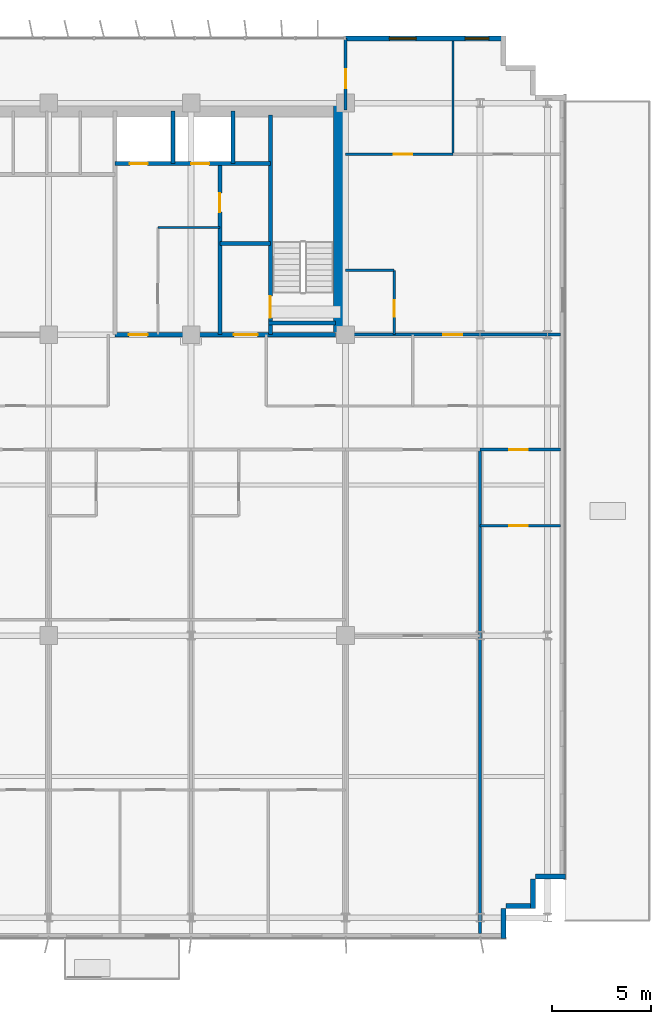
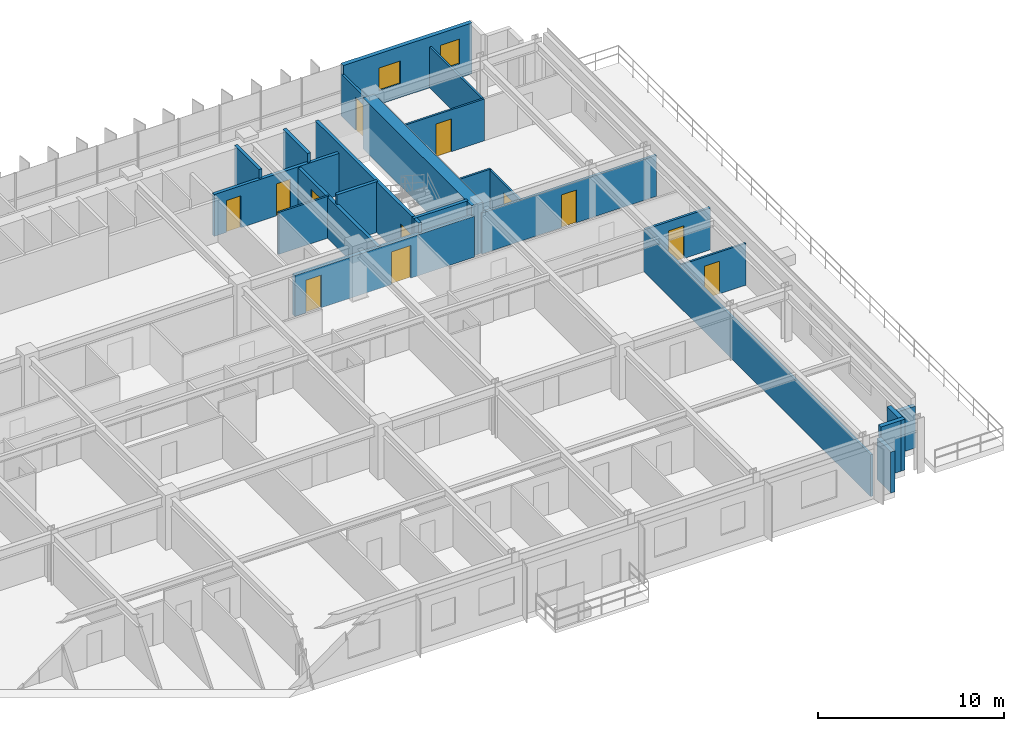
# One storey, part 21 of 26: 24 walls, 12 doors, 2 windows, 14 openings.
"""IFC4 building model written with IfcOpenShell, lengths in metres."""

from ifc_helpers import new_model, si_unit, direction, frame, frame_2d, origin, place, context, subcontext, project, spatial, rectangle, extrude, source, transform, mapped, material, layer, layer_set, type_object, element, fill, save


model = new_model("IFC4")

# Units and contexts
model_context = context("Model", 3, precision=1e-05, world=origin(), true_north=direction((0.0, 1.0)))
body_context = subcontext(model_context, "Body", "Model", "MODEL_VIEW")
ifc_project = project(units=[si_unit("LENGTHUNIT", "METRE"), si_unit("AREAUNIT", "SQUARE_METRE"), si_unit("VOLUMEUNIT", "CUBIC_METRE"), si_unit("PLANEANGLEUNIT", "RADIAN"), si_unit("MASSUNIT", "GRAM", prefix="KILO")], contexts=[model_context])

# Site, building, storey
site_placement = place(None, origin())
site = spatial("IfcSite", under=ifc_project, at=site_placement, CompositionType="ELEMENT")
building_placement = place(site_placement, origin())
building = spatial("IfcBuilding", under=site, at=building_placement, Name="Trelvane Seafront Commons", CompositionType="ELEMENT")
storey_placement = place(building_placement, frame((0.0, 0.0, 23.5)))
storey = spatial("IfcBuildingStorey", under=building, at=storey_placement, Name="L05", CompositionType="ELEMENT", Elevation=23.5)

# Wall, openings, windows
ifc_material_1 = material(Name="Precast concrete C40/50", Category="concrete")
ifc_layer_1 = layer(ifc_material_1, 0.260009765625, Name="ARCH-WALL-EXT260")
ifc_layer_set_1 = layer_set([ifc_layer_1], Name="Precast concrete C40/50")
wall_type_1 = type_object("IfcWallType", Name="ARCH-WALL-EXT260", PredefinedType="SOLIDWALL", material=ifc_layer_set_1)
wall_1_placement = place(storey_placement, frame((58.800048828125, 48.3701171875, 0.0), z_axis=(0.0, 0.0, 1.0), x_axis=(1.0, 0.0, 0.0)))
wall_1 = element("IfcWall", 1, at=wall_1_placement, inside=storey, type_object=wall_type_1, Name="EW-L05-NE-0046", PredefinedType="SOLIDWALL", context=body_context, shape_type="SweptSolid", body=[
    extrude(rectangle(XDim=8.0, YDim=0.260009765625, at=frame_2d((4.0, 0.0))), origin(), (0.0, 0.0, 1.0), 3.340087890625),
])
opening_1_placement = place(wall_1_placement, frame((2.208984375, 0.0, 0.89990234375)))
opening_1 = element("IfcOpeningElement", 2, at=opening_1_placement, cuts=wall_1, Name="Opening W09", PredefinedType="OPENING", context=body_context, shape_type="SweptSolid", body=[
    extrude(rectangle(XDim=1.35009765625, YDim=1.5, at=frame_2d((0.675048828125, 0.75))), frame((0.0, 0.139892578125, 0.0), z_axis=(0.0, -1.0, 0.0), x_axis=(1.0, 0.0, 0.0)), (0.0, 0.0, 1.0), 0.280029296875),
])
opening_2_placement = place(wall_1_placement, frame((6.032958984375, 0.0, 0.89990234375)))
opening_2 = element("IfcOpeningElement", 3, at=opening_2_placement, cuts=wall_1, Name="Opening W05", PredefinedType="OPENING", context=body_context, shape_type="SweptSolid", body=[
    extrude(rectangle(XDim=1.199951171875, YDim=1.64990234375, at=frame_2d((0.60009765625, 0.824951171875))), frame((0.0, 0.139892578125, 0.0), z_axis=(0.0, -1.0, 0.0), x_axis=(1.0, 0.0, 0.0)), (0.0, 0.0, 1.0), 0.280029296875),
])
ifc_material_2 = material(Name="Low-E coastal double glazing", Category="glass")
window_type_1 = type_object("IfcWindowType", Name="ARCH-WIN-W09", PartitioningType="SINGLE_PANEL", PredefinedType="WINDOW", material=ifc_material_2)
shared_shape_1 = source(origin(), body_context, "Body", "SweptSolid", [
    extrude(rectangle(XDim=1.35009765625, YDim=1.5, at=frame_2d((0.675048828125, 0.75))), frame((0.0, 0.030029296875, 0.0), z_axis=(0.0, -1.0, 0.0), x_axis=(1.0, 0.0, 0.0)), (0.0, 0.0, 1.0), 0.06005859375),
])
window_1_placement = place(opening_1_placement, origin())
window_1 = element("IfcWindow", 4, at=window_1_placement, inside=storey, type_object=window_type_1, Name="WIN-L05-00076", OverallHeight=1.5, OverallWidth=1.35009765625, PartitioningType="SINGLE_PANEL", PredefinedType="WINDOW", context=body_context, shape_type="MappedRepresentation", body=[
    mapped(shared_shape_1, transform((0.0, 0.0, 0.0), x_axis=(1.0, 0.0, 0.0), y_axis=(0.0, 1.0, 0.0), z_axis=(0.0, 0.0, 1.0), scale=1.0)),
])
fill(opening_1, window_1)
window_type_2 = type_object("IfcWindowType", Name="ARCH-WIN-W05", PartitioningType="SINGLE_PANEL", PredefinedType="WINDOW", material=ifc_material_2)
shared_shape_2 = source(origin(), body_context, "Body", "SweptSolid", [
    extrude(rectangle(XDim=1.199951171875, YDim=1.64990234375, at=frame_2d((0.60009765625, 0.824951171875))), frame((0.0, 0.030029296875, 0.0), z_axis=(0.0, -1.0, 0.0), x_axis=(1.0, 0.0, 0.0)), (0.0, 0.0, 1.0), 0.06005859375),
])
window_2_placement = place(opening_2_placement, origin())
window_2 = element("IfcWindow", 5, at=window_2_placement, inside=storey, type_object=window_type_2, Name="WIN-L05-00077", OverallHeight=1.64990234375, OverallWidth=1.199951171875, PartitioningType="SINGLE_PANEL", PredefinedType="WINDOW", context=body_context, shape_type="MappedRepresentation", body=[
    mapped(shared_shape_2, transform((0.0, 0.0, 0.0), x_axis=(1.0, 0.0, 0.0), y_axis=(0.0, 1.0, 0.0), z_axis=(0.0, 0.0, 1.0), scale=1.0)),
])
fill(opening_2, window_2)

# Walls
wall_2_placement = place(storey_placement, frame((69.89990234375, 6.030029296875, 0.0), z_axis=(0.0, 0.0, 1.0), x_axis=(-1.0, 0.0, 0.0)))
element("IfcWall", 6, at=wall_2_placement, inside=storey, type_object=wall_type_1, Name="EW-L05-00060", PredefinedType="SOLIDWALL", context=body_context, shape_type="SweptSolid", body=[
    extrude(rectangle(XDim=1.5, YDim=0.260009765625, at=frame_2d((0.75, 0.0))), origin(), (0.0, 0.0, 1.0), 2.751953125),
])
for number, where, z_axis, x_axis, name in (
    (7, (68.27001953125, 5.89990234375, 0.0), (0.0, 0.0, 1.0), (0.0, -1.0, 0.0), "EW-L05-00061"),
    (8, (68.39990234375, 4.530029296875, 0.0), (0.0, 0.0, 1.0), (-1.0, 0.0, 0.0), "EW-L05-00062"),
):
    element("IfcWall", number, at=place(storey_placement, frame(where, z_axis=z_axis, x_axis=x_axis)), inside=storey, type_object=wall_type_1, Name=name, PredefinedType="SOLIDWALL", context=body_context, shape_type="SweptSolid", body=[
        extrude(rectangle(XDim=1.5, YDim=0.260009765625, at=frame_2d((0.75, 0.0))), origin(), (0.0, 0.0, 1.0), 3.340087890625),
    ])
wall_3_placement = place(storey_placement, frame((66.77001953125, 4.39990234375, 0.0), z_axis=(0.0, 0.0, 1.0), x_axis=(0.0, -1.0, 0.0)))
element("IfcWall", 9, at=wall_3_placement, inside=storey, type_object=wall_type_1, Name="EW-L05-00063", PredefinedType="SOLIDWALL", context=body_context, shape_type="SweptSolid", body=[
    extrude(rectangle(XDim=1.5, YDim=0.260009765625, at=frame_2d((0.75, 0.0))), origin(), (0.0, 0.0, 1.0), 2.68994140625),
])

# Wall, opening, door
ifc_material_3 = material(Name="Concrete C40/50", Category="concrete")
ifc_layer_2 = layer(ifc_material_3, 0.199951171875, Name="ARCH-WALL-FIRE200")
ifc_layer_set_2 = layer_set([ifc_layer_2], Name="Concrete C40/50")
wall_type_2 = type_object("IfcWallType", Name="ARCH-WALL-FIRE200", PredefinedType="PARTITIONING", material=ifc_layer_set_2)
wall_4_placement = place(storey_placement, frame((52.449951171875, 33.39990234375, 0.0), z_axis=(0.0, 0.0, 1.0), x_axis=(0.0, 1.0, 0.0)))
wall_4 = element("IfcWall", 10, at=wall_4_placement, inside=storey, type_object=wall_type_2, Name="W-L05-ST2V-W-033", PredefinedType="PARTITIONING", context=body_context, shape_type="SweptSolid", body=[
    extrude(rectangle(XDim=8.650146484375, YDim=0.199951171875, at=frame_2d((4.3251953125, 0.0))), origin(), (0.0, 0.0, 1.0), 2.68994140625),
])
opening_3_placement = place(wall_4_placement, frame((6.199951171875, 0.0, 0.0)))
opening_3 = element("IfcOpeningElement", 11, at=opening_3_placement, cuts=wall_4, Name="Opening FD-L05-13", PredefinedType="OPENING", context=body_context, shape_type="SweptSolid", body=[
    extrude(rectangle(XDim=0.949951171875, YDim=2.14990234375, at=frame_2d((0.47509765625, 1.074951171875))), frame((0.0, 0.10986328125, 0.0), z_axis=(0.0, -1.0, 0.0), x_axis=(1.0, 0.0, 0.0)), (0.0, 0.0, 1.0), 0.219970703125),
])
ifc_material_4 = material(Name="Powder-coated aluminium frame", Category="aluminium")
door_type_1 = type_object("IfcDoorType", Name="ARCH-DR-FD60-950", OperationType="NOTDEFINED", PredefinedType="DOOR", material=ifc_material_4)
shared_shape_3 = source(origin(), body_context, "Body", "SweptSolid", [
    extrude(rectangle(XDim=0.949951171875, YDim=2.14990234375, at=frame_2d((0.47509765625, 1.074951171875))), frame((0.0, 0.02490234375, 0.0), z_axis=(0.0, -1.0, 0.0), x_axis=(1.0, 0.0, 0.0)), (0.0, 0.0, 1.0), 0.050048828125),
])
door_1_placement = place(opening_3_placement, origin())
door_1 = element("IfcDoor", 12, at=door_1_placement, inside=storey, type_object=door_type_1, Name="L05 Cleaner Store Door", OperationType="SINGLE_SWING_LEFT", OverallHeight=2.14990234375, OverallWidth=0.949951171875, PredefinedType="DOOR", context=body_context, shape_type="MappedRepresentation", body=[
    mapped(shared_shape_3, transform((0.0, 0.0, 0.0), x_axis=(1.0, 0.0, 0.0), y_axis=(0.0, 1.0, 0.0), z_axis=(0.0, 0.0, 1.0), scale=1.0)),
])
fill(opening_3, door_1)

# Wall
wall_5_placement = place(storey_placement, frame((52.449951171875, 38.0, 0.0), z_axis=(0.0, 0.0, 1.0), x_axis=(1.0, 0.0, 0.0)))
element("IfcWall", 13, at=wall_5_placement, inside=storey, type_object=wall_type_2, Name="W-L05-ST2V-N-034", PredefinedType="PARTITIONING", context=body_context, shape_type="SweptSolid", body=[
    extrude(rectangle(XDim=2.550048828125, YDim=0.199951171875, at=frame_2d((1.27490234375, 0.0))), origin(), (0.0, 0.0, 1.0), 3.340087890625),
])

# Wall, openings, doors
ifc_layer_3 = layer(ifc_material_3, 0.25, Name="ARCH-WALL-FIRE250")
ifc_layer_set_3 = layer_set([ifc_layer_3], Name="Concrete C40/50")
wall_type_3 = type_object("IfcWallType", Name="ARCH-WALL-FIRE250", PredefinedType="PARTITIONING", material=ifc_layer_set_3)
wall_6_placement = place(storey_placement, frame((47.14990234375, 33.39990234375, 0.0), z_axis=(0.0, 0.0, 1.0), x_axis=(1.0, 0.0, 0.0)))
wall_6 = element("IfcWall", 14, at=wall_6_placement, inside=storey, type_object=wall_type_3, Name="W-L05-CS-EAST-037", PredefinedType="PARTITIONING", context=body_context, shape_type="SweptSolid", body=[
    extrude(rectangle(XDim=11.150146484375, YDim=0.25, at=frame_2d((5.5751953125, 0.0))), origin(), (0.0, 0.0, 1.0), 2.68994140625),
])
opening_4_placement = place(wall_6_placement, frame((0.699951171875, 0.0, 0.0)))
opening_4 = element("IfcOpeningElement", 15, at=opening_4_placement, cuts=wall_6, Name="Opening FD-L05-15", PredefinedType="OPENING", context=body_context, shape_type="SweptSolid", body=[
    extrude(rectangle(XDim=0.949951171875, YDim=2.14990234375, at=frame_2d((0.47509765625, 1.074951171875))), frame((0.0, 0.135009765625, 0.0), z_axis=(0.0, -1.0, 0.0), x_axis=(1.0, 0.0, 0.0)), (0.0, 0.0, 1.0), 0.27001953125),
])
opening_5_placement = place(wall_6_placement, frame((6.0, 0.0, 0.0)))
opening_5 = element("IfcOpeningElement", 16, at=opening_5_placement, cuts=wall_6, Name="Opening FD-L05-16", PredefinedType="OPENING", context=body_context, shape_type="SweptSolid", body=[
    extrude(rectangle(XDim=1.199951171875, YDim=2.14990234375, at=frame_2d((0.60009765625, 1.074951171875))), frame((0.0, 0.135009765625, 0.0), z_axis=(0.0, -1.0, 0.0), x_axis=(1.0, 0.0, 0.0)), (0.0, 0.0, 1.0), 0.27001953125),
])
door_2_placement = place(opening_4_placement, origin())
door_2 = element("IfcDoor", 17, at=door_2_placement, inside=storey, type_object=door_type_1, Name="L05 Core Service Lobby Door", OperationType="SINGLE_SWING_LEFT", OverallHeight=2.14990234375, OverallWidth=0.949951171875, PredefinedType="DOOR", context=body_context, shape_type="MappedRepresentation", body=[
    mapped(shared_shape_3, transform((0.0, 0.0, 0.0), x_axis=(1.0, 0.0, 0.0), y_axis=(0.0, 1.0, 0.0), z_axis=(0.0, 0.0, 1.0), scale=1.0)),
])
fill(opening_4, door_2)
door_type_2 = type_object("IfcDoorType", Name="ARCH-DR-FD60-1200", OperationType="NOTDEFINED", PredefinedType="DOOR", material=ifc_material_4)
shared_shape_4 = source(origin(), body_context, "Body", "SweptSolid", [
    extrude(rectangle(XDim=1.199951171875, YDim=2.14990234375, at=frame_2d((0.60009765625, 1.074951171875))), frame((0.0, 0.02490234375, 0.0), z_axis=(0.0, -1.0, 0.0), x_axis=(1.0, 0.0, 0.0)), (0.0, 0.0, 1.0), 0.050048828125),
])
door_3_placement = place(opening_5_placement, origin())
door_3 = element("IfcDoor", 18, at=door_3_placement, inside=storey, type_object=door_type_2, Name="L05 East Stair Vestibule Fire Door", OperationType="SINGLE_SWING_RIGHT", OverallHeight=2.14990234375, OverallWidth=1.199951171875, PredefinedType="DOOR", context=body_context, shape_type="MappedRepresentation", body=[
    mapped(shared_shape_4, transform((0.0, 0.0, 0.0), x_axis=(1.0, 0.0, 0.0), y_axis=(0.0, 1.0, 0.0), z_axis=(0.0, 0.0, 1.0), scale=1.0)),
])
fill(opening_5, door_3)

# Wall
ifc_material_5 = material(Name="Gypsum Drywall Acoustic Partition")
ifc_layer_4 = layer(ifc_material_5, 0.1201171875, Name="ARCH-WALL-PART120")
ifc_layer_set_4 = layer_set([ifc_layer_4], Name="Gypsum Drywall Acoustic Partition")
wall_type_4 = type_object("IfcWallType", Name="ARCH-WALL-PART120", PredefinedType="PARTITIONING", material=ifc_layer_set_4)
wall_7_placement = place(storey_placement, frame((49.320068359375, 38.820068359375, 0.0), z_axis=(0.0, 0.0, 1.0), x_axis=(1.0, 0.0, 0.0)))
element("IfcWall", 19, at=wall_7_placement, inside=storey, type_object=wall_type_4, Name="W-L05-CYC2-H-036", PredefinedType="PARTITIONING", context=body_context, shape_type="SweptSolid", body=[
    extrude(rectangle(XDim=3.1298828125, YDim=0.1201171875, at=frame_2d((1.56494140625, 0.0))), origin(), (0.0, 0.0, 1.0), 2.751953125),
])

# Wall, opening, door
wall_8_placement = place(storey_placement, frame((61.25, 33.39990234375, 0.0), z_axis=(0.0, 0.0, 1.0), x_axis=(0.0, 1.0, 0.0)))
wall_8 = element("IfcWall", 20, at=wall_8_placement, inside=storey, type_object=wall_type_4, Name="W-L05-NE-BE-055", PredefinedType="PARTITIONING", context=body_context, shape_type="SweptSolid", body=[
    extrude(rectangle(XDim=3.25, YDim=0.1201171875, at=frame_2d((1.625, 0.0))), origin(), (0.0, 0.0, 1.0), 2.68994140625),
])
opening_6_placement = place(wall_8_placement, frame((0.89990234375, 0.0, 0.0)))
opening_6 = element("IfcOpeningElement", 21, at=opening_6_placement, cuts=wall_8, Name="Opening D-L05-26", PredefinedType="OPENING", context=body_context, shape_type="SweptSolid", body=[
    extrude(rectangle(XDim=0.85009765625, YDim=2.10009765625, at=frame_2d((0.425048828125, 1.050048828125))), frame((0.0, 0.070068359375, 0.0), z_axis=(0.0, -1.0, 0.0), x_axis=(1.0, 0.0, 0.0)), (0.0, 0.0, 1.0), 0.14013671875),
])
ifc_material_6 = material(Name="Acoustic timber door leaf", Category="wood")
door_type_3 = type_object("IfcDoorType", Name="ARCH-DR-INT850", OperationType="NOTDEFINED", PredefinedType="DOOR", material=ifc_material_6)
shared_shape_5 = source(origin(), body_context, "Body", "SweptSolid", [
    extrude(rectangle(XDim=0.85009765625, YDim=2.10009765625, at=frame_2d((0.425048828125, 1.050048828125))), frame((0.0, 0.02490234375, 0.0), z_axis=(0.0, -1.0, 0.0), x_axis=(1.0, 0.0, 0.0)), (0.0, 0.0, 1.0), 0.050048828125),
])
door_4_placement = place(opening_6_placement, origin())
door_4 = element("IfcDoor", 22, at=door_4_placement, inside=storey, type_object=door_type_3, Name="L05 Door 26", OperationType="SINGLE_SWING_RIGHT", OverallHeight=2.10009765625, OverallWidth=0.85009765625, PredefinedType="DOOR", context=body_context, shape_type="MappedRepresentation", body=[
    mapped(shared_shape_5, transform((0.0, 0.0, 0.0), x_axis=(1.0, 0.0, 0.0), y_axis=(0.0, 1.0, 0.0), z_axis=(0.0, 0.0, 1.0), scale=1.0)),
])
fill(opening_6, door_4)

# Wall
wall_9_placement = place(storey_placement, frame((58.800048828125, 36.64990234375, 0.0), z_axis=(0.0, 0.0, 1.0), x_axis=(1.0, 0.0, 0.0)))
element("IfcWall", 23, at=wall_9_placement, inside=storey, type_object=wall_type_4, Name="W-L05-NE-BN-056", PredefinedType="PARTITIONING", context=body_context, shape_type="SweptSolid", body=[
    extrude(rectangle(XDim=2.449951171875, YDim=0.1201171875, at=frame_2d((1.22509765625, 0.0))), origin(), (0.0, 0.0, 1.0), 2.751953125),
])

# Wall, opening, door
wall_10_placement = place(storey_placement, frame((58.800048828125, 42.52001953125, 0.0), z_axis=(0.0, 0.0, 1.0), x_axis=(1.0, 0.0, 0.0)))
wall_10 = element("IfcWall", 24, at=wall_10_placement, inside=storey, type_object=wall_type_4, Name="W-L05-NE-KB1-057", PredefinedType="PARTITIONING", context=body_context, shape_type="SweptSolid", body=[
    extrude(rectangle(XDim=5.425048828125, YDim=0.1201171875, at=frame_2d((2.71240234375, 0.0))), origin(), (0.0, 0.0, 1.0), 2.751953125),
])
opening_7_placement = place(wall_10_placement, frame((2.423095703125, 0.0, 0.0)))
opening_7 = element("IfcOpeningElement", 25, at=opening_7_placement, cuts=wall_10, Name="Opening D-L05-27", PredefinedType="OPENING", context=body_context, shape_type="SweptSolid", body=[
    extrude(rectangle(XDim=0.949951171875, YDim=2.14990234375, at=frame_2d((0.47509765625, 1.074951171875))), frame((0.0, 0.070068359375, 0.0), z_axis=(0.0, -1.0, 0.0), x_axis=(1.0, 0.0, 0.0)), (0.0, 0.0, 1.0), 0.14013671875),
])
door_type_4 = type_object("IfcDoorType", Name="ARCH-DR-INT950", OperationType="NOTDEFINED", PredefinedType="DOOR", material=ifc_material_6)
door_5_placement = place(opening_7_placement, origin())
door_5 = element("IfcDoor", 26, at=door_5_placement, inside=storey, type_object=door_type_4, Name="L05 Door 27", OperationType="SINGLE_SWING_LEFT", OverallHeight=2.14990234375, OverallWidth=0.949951171875, PredefinedType="DOOR", context=body_context, shape_type="MappedRepresentation", body=[
    mapped(shared_shape_3, transform((0.0, 0.0, 0.0), x_axis=(1.0, 0.0, 0.0), y_axis=(0.0, 1.0, 0.0), z_axis=(0.0, 0.0, 1.0), scale=1.0)),
])
fill(opening_7, door_5)

# Wall
wall_11_placement = place(storey_placement, frame((64.22509765625, 42.52001953125, 0.0), z_axis=(0.0, 0.0, 1.0), x_axis=(0.0, 1.0, 0.0)))
element("IfcWall", 27, at=wall_11_placement, inside=storey, type_object=wall_type_4, Name="W-L05-NE-KBDV-059", PredefinedType="PARTITIONING", context=body_context, shape_type="SweptSolid", body=[
    extrude(rectangle(XDim=5.719970703125, YDim=0.1201171875, at=frame_2d((2.85986328125, 0.0))), origin(), (0.0, 0.0, 1.0), 2.68994140625),
])

# Wall, opening, door
wall_12_placement = place(storey_placement, frame((65.60009765625, 23.75, 0.0), z_axis=(0.0, 0.0, 1.0), x_axis=(1.0, 0.0, 0.0)))
wall_12 = element("IfcWall", 28, at=wall_12_placement, inside=storey, type_object=wall_type_4, Name="W-L05-U10-DIV-127", PredefinedType="PARTITIONING", context=body_context, shape_type="SweptSolid", body=[
    extrude(rectangle(XDim=4.054931640625, YDim=0.1201171875, at=frame_2d((2.02734375, 0.0))), origin(), (0.0, 0.0, 1.0), 2.751953125),
])
opening_8_placement = place(wall_12_placement, frame((1.4619140625, 0.0, 0.0)))
opening_8 = element("IfcOpeningElement", 29, at=opening_8_placement, cuts=wall_12, Name="Opening D-L05-73", PredefinedType="OPENING", context=body_context, shape_type="SweptSolid", body=[
    extrude(rectangle(XDim=0.949951171875, YDim=2.14990234375, at=frame_2d((0.47509765625, 1.074951171875))), frame((0.0, 0.070068359375, 0.0), z_axis=(0.0, -1.0, 0.0), x_axis=(1.0, 0.0, 0.0)), (0.0, 0.0, 1.0), 0.14013671875),
])
door_6_placement = place(opening_8_placement, origin())
door_6 = element("IfcDoor", 30, at=door_6_placement, inside=storey, type_object=door_type_4, Name="L05 Door 73", OperationType="SINGLE_SWING_LEFT", OverallHeight=2.14990234375, OverallWidth=0.949951171875, PredefinedType="DOOR", context=body_context, shape_type="MappedRepresentation", body=[
    mapped(shared_shape_3, transform((0.0, 0.0, 0.0), x_axis=(1.0, 0.0, 0.0), y_axis=(0.0, 1.0, 0.0), z_axis=(0.0, 0.0, 1.0), scale=1.0)),
])
fill(opening_8, door_6)

ifc_layer_5 = layer(ifc_material_5, 0.14990234375, Name="ARCH-WALL-PART150")
ifc_layer_set_5 = layer_set([ifc_layer_5], Name="Gypsum Drywall Acoustic Partition")
wall_type_5 = type_object("IfcWallType", Name="ARCH-WALL-PART150", PredefinedType="PARTITIONING", material=ifc_layer_set_5)
wall_13_placement = place(storey_placement, frame((58.800048828125, 33.39990234375, 0.0), z_axis=(0.0, 0.0, 1.0), x_axis=(1.0, 0.0, 0.0)))
wall_13 = element("IfcWall", 31, at=wall_13_placement, inside=storey, type_object=wall_type_5, Name="W-L05-NE-ENT-060", PredefinedType="PARTITIONING", context=body_context, shape_type="SweptSolid", body=[
    extrude(rectangle(XDim=10.849853515625, YDim=0.14990234375, at=frame_2d((5.4248046875, 0.0))), origin(), (0.0, 0.0, 1.0), 2.68994140625),
])
opening_9_placement = place(wall_13_placement, frame((4.93310546875, 0.0, 0.0)))
opening_9 = element("IfcOpeningElement", 32, at=opening_9_placement, cuts=wall_13, Name="Opening FD-L05-29", PredefinedType="OPENING", context=body_context, shape_type="SweptSolid", body=[
    extrude(rectangle(XDim=0.949951171875, YDim=2.14990234375, at=frame_2d((0.47509765625, 1.074951171875))), frame((0.0, 0.0849609375, 0.0), z_axis=(0.0, -1.0, 0.0), x_axis=(1.0, 0.0, 0.0)), (0.0, 0.0, 1.0), 0.169921875),
])
door_7_placement = place(opening_9_placement, origin())
door_7 = element("IfcDoor", 33, at=door_7_placement, inside=storey, type_object=door_type_1, Name="L05 NE Flat Entrance Door", OperationType="SINGLE_SWING_LEFT", OverallHeight=2.14990234375, OverallWidth=0.949951171875, PredefinedType="DOOR", context=body_context, shape_type="MappedRepresentation", body=[
    mapped(shared_shape_3, transform((0.0, 0.0, 0.0), x_axis=(1.0, 0.0, 0.0), y_axis=(0.0, 1.0, 0.0), z_axis=(0.0, 0.0, 1.0), scale=1.0)),
])
fill(opening_9, door_7)

wall_14_placement = place(storey_placement, frame((58.800048828125, 44.75, 0.0), z_axis=(0.0, 0.0, 1.0), x_axis=(0.0, 1.0, 0.0)))
wall_14 = element("IfcWall", 34, at=wall_14_placement, inside=storey, type_object=wall_type_5, Name="W-L05-N-LINK-E-063", PredefinedType="PARTITIONING", context=body_context, shape_type="SweptSolid", body=[
    extrude(rectangle(XDim=3.610107421875, YDim=0.14990234375, at=frame_2d((1.80517578125, 0.0))), origin(), (0.0, 0.0, 1.0), 2.751953125),
])
opening_10_placement = place(wall_14_placement, frame((1.10009765625, 0.0, 0.0)))
opening_10 = element("IfcOpeningElement", 35, at=opening_10_placement, cuts=wall_14, Name="Opening FD-L05-32", PredefinedType="OPENING", context=body_context, shape_type="SweptSolid", body=[
    extrude(rectangle(XDim=0.949951171875, YDim=2.14990234375, at=frame_2d((0.47509765625, 1.074951171875))), frame((0.0, 0.0849609375, 0.0), z_axis=(0.0, -1.0, 0.0), x_axis=(1.0, 0.0, 0.0)), (0.0, 0.0, 1.0), 0.169921875),
])
door_8_placement = place(opening_10_placement, origin())
door_8 = element("IfcDoor", 36, at=door_8_placement, inside=storey, type_object=door_type_1, Name="L05 Door 32", OperationType="SINGLE_SWING_RIGHT", OverallHeight=2.14990234375, OverallWidth=0.949951171875, PredefinedType="DOOR", context=body_context, shape_type="MappedRepresentation", body=[
    mapped(shared_shape_3, transform((0.0, 0.0, 0.0), x_axis=(1.0, 0.0, 0.0), y_axis=(0.0, 1.0, 0.0), z_axis=(0.0, 0.0, 1.0), scale=1.0)),
])
fill(opening_10, door_8)

# Wall
wall_15_placement = place(storey_placement, frame((65.60009765625, 3.14501953125, 0.0), z_axis=(0.0, 0.0, 1.0), x_axis=(0.0, 1.0, 0.0)))
element("IfcWall", 37, at=wall_15_placement, inside=storey, type_object=wall_type_5, Name="W-L05-PW-9-072", PredefinedType="PARTITIONING", context=body_context, shape_type="SweptSolid", body=[
    extrude(rectangle(XDim=24.455078125, YDim=0.14990234375, at=frame_2d((12.2275390625, 0.0))), origin(), (0.0, 0.0, 1.0), 2.751953125),
])

# Wall, opening, door
wall_16_placement = place(storey_placement, frame((65.60009765625, 27.60009765625, 0.0), z_axis=(0.0, 0.0, 1.0), x_axis=(1.0, 0.0, 0.0)))
wall_16 = element("IfcWall", 38, at=wall_16_placement, inside=storey, type_object=wall_type_5, Name="W-L05-CS-BAY-10-126", PredefinedType="PARTITIONING", context=body_context, shape_type="SweptSolid", body=[
    extrude(rectangle(XDim=4.054931640625, YDim=0.14990234375, at=frame_2d((2.02734375, 0.0))), origin(), (0.0, 0.0, 1.0), 2.751953125),
])
opening_11_placement = place(wall_16_placement, frame((1.4619140625, 0.0, 0.0)))
opening_11 = element("IfcOpeningElement", 39, at=opening_11_placement, cuts=wall_16, Name="Opening FD-L05-72", PredefinedType="OPENING", context=body_context, shape_type="SweptSolid", body=[
    extrude(rectangle(XDim=0.949951171875, YDim=2.14990234375, at=frame_2d((0.47509765625, 1.074951171875))), frame((0.0, 0.0849609375, 0.0), z_axis=(0.0, -1.0, 0.0), x_axis=(1.0, 0.0, 0.0)), (0.0, 0.0, 1.0), 0.169921875),
])
door_9_placement = place(opening_11_placement, origin())
door_9 = element("IfcDoor", 40, at=door_9_placement, inside=storey, type_object=door_type_1, Name="L05 Bay 10 Entrance Door", OperationType="SINGLE_SWING_RIGHT", OverallHeight=2.14990234375, OverallWidth=0.949951171875, PredefinedType="DOOR", context=body_context, shape_type="MappedRepresentation", body=[
    mapped(shared_shape_3, transform((0.0, 0.0, 0.0), x_axis=(1.0, 0.0, 0.0), y_axis=(0.0, 1.0, 0.0), z_axis=(0.0, 0.0, 1.0), scale=1.0)),
])
fill(opening_11, door_9)

# Wall, openings, doors
ifc_layer_6 = layer(ifc_material_3, 0.199951171875, Name="ARCH-WALL-SHAFT200")
ifc_layer_set_6 = layer_set([ifc_layer_6], Name="Concrete C40/50")
wall_type_6 = type_object("IfcWallType", Name="ARCH-WALL-SHAFT200", PredefinedType="SOLIDWALL", material=ifc_layer_set_6)
wall_17_placement = place(storey_placement, frame((47.14990234375, 42.050048828125, 0.0), z_axis=(0.0, 0.0, 1.0), x_axis=(1.0, 0.0, 0.0)))
wall_17 = element("IfcWall", 41, at=wall_17_placement, inside=storey, type_object=wall_type_6, Name="W-L05-RSR-S-030", PredefinedType="SOLIDWALL", context=body_context, shape_type="SweptSolid", body=[
    extrude(rectangle(XDim=7.85009765625, YDim=0.199951171875, at=frame_2d((3.925048828125, 0.0))), origin(), (0.0, 0.0, 1.0), 2.751953125),
])
opening_12_placement = place(wall_17_placement, frame((0.75, 0.0, 0.0)))
opening_12 = element("IfcOpeningElement", 42, at=opening_12_placement, cuts=wall_17, Name="Opening FD-L05-11", PredefinedType="OPENING", context=body_context, shape_type="SweptSolid", body=[
    extrude(rectangle(XDim=0.89990234375, YDim=2.10009765625, at=frame_2d((0.449951171875, 1.050048828125))), frame((0.0, 0.10986328125, 0.0), z_axis=(0.0, -1.0, 0.0), x_axis=(1.0, 0.0, 0.0)), (0.0, 0.0, 1.0), 0.219970703125),
])
opening_13_placement = place(wall_17_placement, frame((3.85009765625, 0.0, 0.0)))
opening_13 = element("IfcOpeningElement", 43, at=opening_13_placement, cuts=wall_17, Name="Opening FD-L05-12", PredefinedType="OPENING", context=body_context, shape_type="SweptSolid", body=[
    extrude(rectangle(XDim=0.89990234375, YDim=2.10009765625, at=frame_2d((0.449951171875, 1.050048828125))), frame((0.0, 0.10986328125, 0.0), z_axis=(0.0, -1.0, 0.0), x_axis=(1.0, 0.0, 0.0)), (0.0, 0.0, 1.0), 0.219970703125),
])
door_type_5 = type_object("IfcDoorType", Name="ARCH-DR-FD60-900", OperationType="NOTDEFINED", PredefinedType="DOOR", material=ifc_material_4)
shared_shape_6 = source(origin(), body_context, "Body", "SweptSolid", [
    extrude(rectangle(XDim=0.89990234375, YDim=2.10009765625, at=frame_2d((0.449951171875, 1.050048828125))), frame((0.0, 0.02490234375, 0.0), z_axis=(0.0, -1.0, 0.0), x_axis=(1.0, 0.0, 0.0)), (0.0, 0.0, 1.0), 0.050048828125),
])
door_10_placement = place(opening_12_placement, origin())
door_10 = element("IfcDoor", 44, at=door_10_placement, inside=storey, type_object=door_type_5, Name="L05 Electrical Riser Access Door", OperationType="SINGLE_SWING_LEFT", OverallHeight=2.10009765625, OverallWidth=0.89990234375, PredefinedType="DOOR", context=body_context, shape_type="MappedRepresentation", body=[
    mapped(shared_shape_6, transform((0.0, 0.0, 0.0), x_axis=(1.0, 0.0, 0.0), y_axis=(0.0, 1.0, 0.0), z_axis=(0.0, 0.0, 1.0), scale=1.0)),
])
fill(opening_12, door_10)
door_11_placement = place(opening_13_placement, origin())
door_11 = element("IfcDoor", 45, at=door_11_placement, inside=storey, type_object=door_type_5, Name="L05 Mechanical Riser Access Door", OperationType="SINGLE_SWING_RIGHT", OverallHeight=2.10009765625, OverallWidth=0.89990234375, PredefinedType="DOOR", context=body_context, shape_type="MappedRepresentation", body=[
    mapped(shared_shape_6, transform((0.0, 0.0, 0.0), x_axis=(1.0, 0.0, 0.0), y_axis=(0.0, 1.0, 0.0), z_axis=(0.0, 0.0, 1.0), scale=1.0)),
])
fill(opening_13, door_11)

# Walls
for number, where, z_axis, x_axis, name in (
    (46, (50.080078125, 42.050048828125, 0.0), (0.0, 0.0, 1.0), (0.0, 1.0, 0.0), "W-L05-RSR-DIV-031"),
    (47, (53.10009765625, 42.050048828125, 0.0), (0.0, 0.0, 1.0), (0.0, 1.0, 0.0), "W-L05-RSR-E-032"),
):
    element("IfcWall", number, at=place(storey_placement, frame(where, z_axis=z_axis, x_axis=x_axis)), inside=storey, type_object=wall_type_6, Name=name, PredefinedType="SOLIDWALL", context=body_context, shape_type="SweptSolid", body=[
        extrude(rectangle(XDim=2.64990234375, YDim=0.199951171875, at=frame_2d((1.324951171875, 0.0))), origin(), (0.0, 0.0, 1.0), 3.340087890625),
    ])
ifc_material_7 = material(Name="Concrete C60/75", Category="concrete")
ifc_layer_7 = layer(ifc_material_7, 0.699951171875, Name="STR-WALL-CORE700")
ifc_layer_set_7 = layer_set([ifc_layer_7], Name="Concrete C60/75")
wall_type_7 = type_object("IfcWallType", Name="STR-WALL-CORE700", PredefinedType="SHEAR", material=ifc_layer_set_7)
wall_18_placement = place(storey_placement, frame((58.550048828125, 33.39990234375, 0.0), z_axis=(0.0, 0.0, 1.0), x_axis=(0.0, 1.0, 0.0)))
element("IfcWall", 48, at=wall_18_placement, inside=storey, type_object=wall_type_7, Name="W-L05-CE-END-003", PredefinedType="SHEAR", context=body_context, shape_type="SweptSolid", body=[
    extrude(rectangle(XDim=11.7001953125, YDim=0.699951171875, at=frame_2d((5.85009765625, 0.0))), origin(), (0.0, 0.0, 1.0), 3.340087890625),
])
ifc_material_8 = material(Name="Concrete C50/60", Category="concrete")
ifc_layer_8 = layer(ifc_material_8, 0.199951171875, Name="STR-WALL-STAIR200")
ifc_layer_set_8 = layer_set([ifc_layer_8], Name="Concrete C50/60")
wall_type_8 = type_object("IfcWallType", Name="STR-WALL-STAIR200", PredefinedType="SHEAR", material=ifc_layer_set_8)
wall_19_placement = place(storey_placement, frame((54.89990234375, 34.0, 0.0), z_axis=(0.0, 0.0, 1.0), x_axis=(1.0, 0.0, 0.0)))
element("IfcWall", 49, at=wall_19_placement, inside=storey, type_object=wall_type_8, Name="W-L05-ST2-S-006", PredefinedType="SHEAR", context=body_context, shape_type="SweptSolid", body=[
    extrude(rectangle(XDim=3.400146484375, YDim=0.199951171875, at=frame_2d((1.7001953125, 0.0))), origin(), (0.0, 0.0, 1.0), 3.340087890625),
])

# Wall, opening, door
wall_20_placement = place(storey_placement, frame((55.0, 33.39990234375, 0.0), z_axis=(0.0, 0.0, 1.0), x_axis=(0.0, 1.0, 0.0)))
wall_20 = element("IfcWall", 50, at=wall_20_placement, inside=storey, type_object=wall_type_8, Name="W-L05-ST2-W-007", PredefinedType="SHEAR", context=body_context, shape_type="SweptSolid", body=[
    extrude(rectangle(XDim=11.10009765625, YDim=0.199951171875, at=frame_2d((5.550048828125, 0.0))), origin(), (0.0, 0.0, 1.0), 3.340087890625),
])
opening_14_placement = place(wall_20_placement, frame((0.85009765625, 0.0, 0.0)))
opening_14 = element("IfcOpeningElement", 51, at=opening_14_placement, cuts=wall_20, Name="Opening ST-D2-L05", PredefinedType="OPENING", context=body_context, shape_type="SweptSolid", body=[
    extrude(rectangle(XDim=1.10009765625, YDim=2.14990234375, at=frame_2d((0.550048828125, 1.074951171875))), frame((0.0, 0.10986328125, 0.0), z_axis=(0.0, -1.0, 0.0), x_axis=(1.0, 0.0, 0.0)), (0.0, 0.0, 1.0), 0.219970703125),
])
door_type_6 = type_object("IfcDoorType", Name="ARCH-DR-FD90-1100", OperationType="NOTDEFINED", PredefinedType="DOOR", material=ifc_material_4)
shared_shape_7 = source(origin(), body_context, "Body", "SweptSolid", [
    extrude(rectangle(XDim=1.10009765625, YDim=2.14990234375, at=frame_2d((0.550048828125, 1.074951171875))), frame((0.0, 0.02490234375, 0.0), z_axis=(0.0, -1.0, 0.0), x_axis=(1.0, 0.0, 0.0)), (0.0, 0.0, 1.0), 0.050048828125),
])
door_12_placement = place(opening_14_placement, origin())
door_12 = element("IfcDoor", 52, at=door_12_placement, inside=storey, type_object=door_type_6, Name="L05 Stair ST-2 Vestibule Fire Door", OperationType="SINGLE_SWING_RIGHT", OverallHeight=2.14990234375, OverallWidth=1.10009765625, PredefinedType="DOOR", context=body_context, shape_type="MappedRepresentation", body=[
    mapped(shared_shape_7, transform((0.0, 0.0, 0.0), x_axis=(1.0, 0.0, 0.0), y_axis=(0.0, 1.0, 0.0), z_axis=(0.0, 0.0, 1.0), scale=1.0)),
])
fill(opening_14, door_12)

save(model, "model.ifc")
